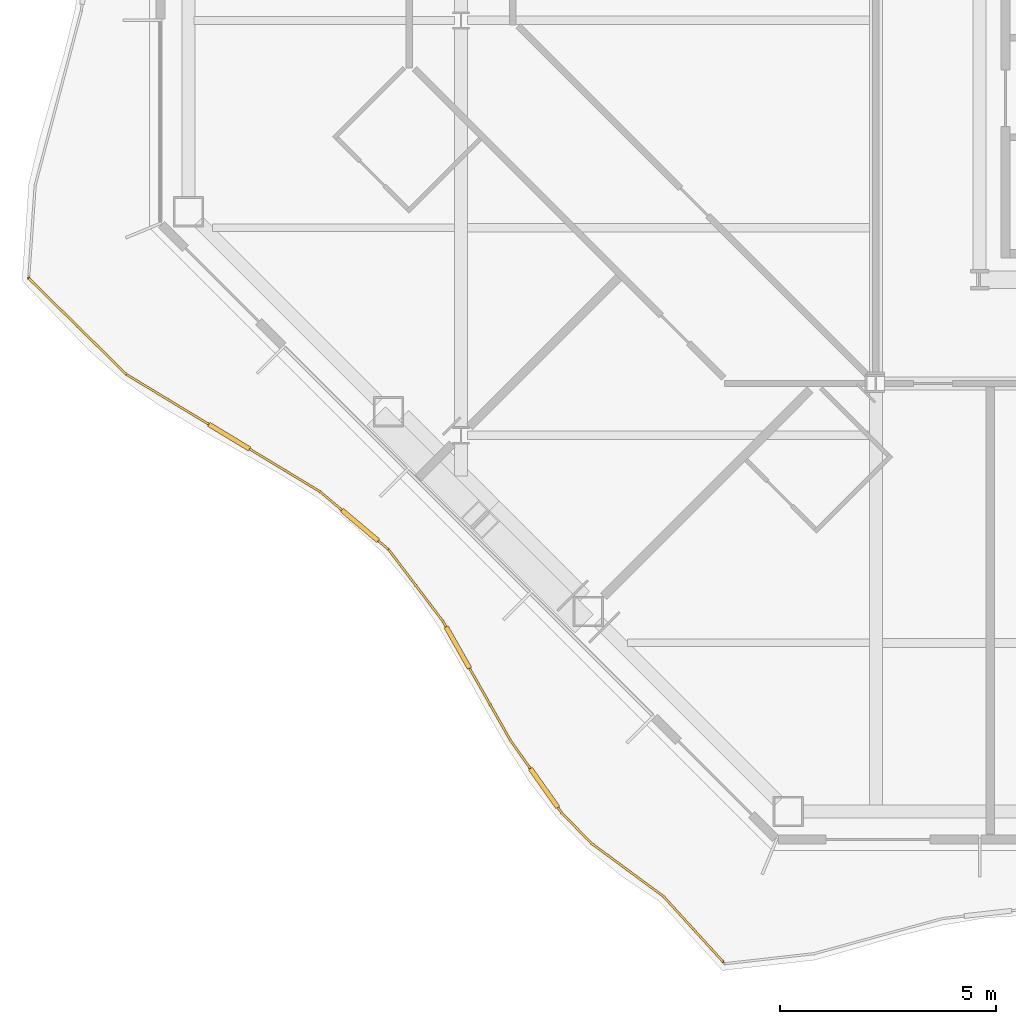
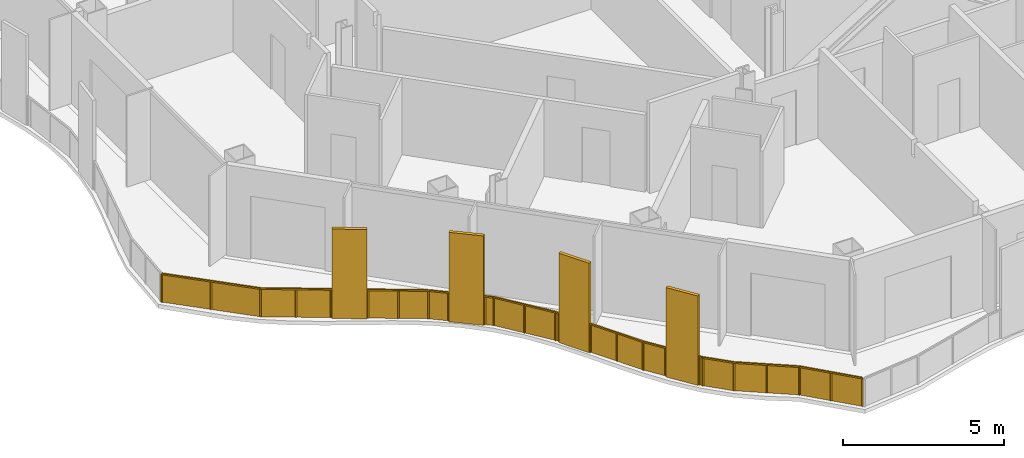
# One storey, part 15 of 21: 1 railing.
"""IFC4 building model written with IfcOpenShell, lengths in metres."""

from ifc_helpers import new_model, si_unit, direction, frame, origin, origin_2d, place, context, subcontext, project, spatial, polyline, rectangle, outline, extrude, material, type_object, element, save


model = new_model("IFC4")

# Units and contexts
model_context = context("Model", 3, precision=1e-05, world=origin(), true_north=direction((0.0, 1.0)))
body_context = subcontext(model_context, "Body", "Model", "MODEL_VIEW")
ifc_project = project(units=[si_unit("LENGTHUNIT", "METRE"), si_unit("AREAUNIT", "SQUARE_METRE"), si_unit("VOLUMEUNIT", "CUBIC_METRE"), si_unit("PLANEANGLEUNIT", "RADIAN"), si_unit("MASSUNIT", "GRAM", prefix="KILO")], contexts=[model_context])

# Site, building, storey
site_placement = place(None, origin())
site = spatial("IfcSite", under=ifc_project, at=site_placement, CompositionType="ELEMENT")
building_placement = place(site_placement, origin())
building = spatial("IfcBuilding", under=site, at=building_placement, Name="Cairn Pilgrim Tower", CompositionType="ELEMENT")
storey_placement = place(building_placement, frame((0.0, 0.0, 143.39990234375)))
storey = spatial("IfcBuildingStorey", under=building, at=storey_placement, Name="L35", CompositionType="ELEMENT", Elevation=143.39990234375)

# Railing
ifc_material = material(Name="Bronze anodised aluminium rail, posts and fin screens with laminated glass infill", Category="aluminium")
railing_type = type_object("IfcRailingType", Name="BALCONY GUARD WITH FIN SCREENS", PredefinedType="GUARDRAIL", material=ifc_material)
railing_placement = place(storey_placement, frame((-24.398681640625, -5.96484375, 0.0)))
element("IfcRailing", 1, at=railing_placement, inside=storey, type_object=railing_type, Name="Balcony guard BGF-8 with fin screens", PredefinedType="GUARDRAIL", context=body_context, shape_type="SweptSolid", body=[
    extrude(rectangle(XDim=0.050048828125, YDim=0.050048828125, at=origin_2d()), frame((0.0, 0.0, 1.0751953125), z_axis=(0.712701140434, -0.701467807119, 0.0), x_axis=(0.701467807119, 0.712701140434, 0.0)), (0.0, 0.0, 1.0), 3.173095703125),
    extrude(rectangle(XDim=1.10009765625, YDim=0.110107421875, at=origin_2d()), frame((4.638916015625, -3.664794921875, 0.0), z_axis=(0.0, 0.0, 1.0), x_axis=(0.85548323189, -0.51783051277, 0.0)), (0.0, 0.0, 1.0), 3.39990234375),
    extrude(rectangle(XDim=0.050048828125, YDim=0.050048828125, at=origin_2d()), frame((2.261474609375, -2.225830078125, 1.0751953125), z_axis=(0.85548323189, -0.51783051277, 0.0), x_axis=(0.51783051277, 0.85548323189, 0.0)), (0.0, 0.0, 1.0), 2.22900390625),
    extrude(rectangle(XDim=0.050048828125, YDim=0.050048828125, at=origin_2d()), frame((5.109375, -3.94970703125, 1.0751953125), z_axis=(0.85548323189, -0.51783051277, 0.0), x_axis=(0.51783051277, 0.85548323189, 0.0)), (0.0, 0.0, 1.0), 1.907958984375),
    extrude(rectangle(XDim=1.10009765625, YDim=0.110107421875, at=origin_2d()), frame((7.665283203125, -5.7177734375, 0.0), z_axis=(0.0, 0.0, 1.0), x_axis=(0.763993774982, -0.645223613788, 0.0)), (0.0, 0.0, 1.0), 3.39990234375),
    extrude(rectangle(XDim=0.050048828125, YDim=0.050048828125, at=origin_2d()), frame((6.74169921875, -4.937744140625, 1.0751953125), z_axis=(0.763993774982, -0.645223613788, 0.0), x_axis=(0.645223613788, 0.763993774982, 0.0)), (0.0, 0.0, 1.0), 0.658935546875),
    extrude(rectangle(XDim=0.050048828125, YDim=0.050048828125, at=origin_2d()), frame((8.08544921875, -6.072509765625, 1.0751953125), z_axis=(0.763993774982, -0.645223613788, 0.0), x_axis=(0.645223613788, 0.763993774982, 0.0)), (0.0, 0.0, 1.0), 0.313232421875),
    extrude(rectangle(XDim=0.050048828125, YDim=0.050048828125, at=origin_2d()), frame((8.32470703125, -6.274658203125, 1.0751953125), z_axis=(0.604006652288, -0.796979274506, 0.0), x_axis=(0.796979274506, 0.604006652288, 0.0)), (0.0, 0.0, 1.0), 2.08251953125),
    extrude(rectangle(XDim=1.10009765625, YDim=0.110107421875, at=origin_2d()), frame((9.927734375, -8.543212890625, 0.0), z_axis=(0.0, 0.0, 1.0), x_axis=(0.493101909594, -0.869971555141, 0.0)), (0.0, 0.0, 1.0), 3.39990234375),
    extrude(rectangle(XDim=0.050048828125, YDim=0.050048828125, at=origin_2d()), frame((9.58251953125, -7.934326171875, 1.0751953125), z_axis=(0.493101909594, -0.869971555141, 0.0), x_axis=(0.869971555141, 0.493101909594, 0.0)), (0.0, 0.0, 1.0), 0.14990234375),
    extrude(rectangle(XDim=0.050048828125, YDim=0.050048828125, at=origin_2d()), frame((10.198974609375, -9.021728515625, 1.0751953125), z_axis=(0.493101909594, -0.869971555141, 0.0), x_axis=(0.869971555141, 0.493101909594, 0.0)), (0.0, 0.0, 1.0), 1.921630859375),
    extrude(rectangle(XDim=1.10009765625, YDim=0.110107421875, at=origin_2d()), frame((11.92431640625, -11.79345703125, 0.0), z_axis=(0.0, 0.0, 1.0), x_axis=(0.577418181938, -0.816448555126, 0.0)), (0.0, 0.0, 1.0), 3.39990234375),
    extrude(rectangle(XDim=0.050048828125, YDim=0.050048828125, at=origin_2d()), frame((11.146484375, -10.693603515625, 1.0751953125), z_axis=(0.577418181938, -0.816448555126, 0.0), x_axis=(0.816448555126, 0.577418181938, 0.0)), (0.0, 0.0, 1.0), 0.796875),
    extrude(rectangle(XDim=0.050048828125, YDim=0.050048828125, at=origin_2d()), frame((12.241943359375, -12.242431640625, 1.0751953125), z_axis=(0.577418181938, -0.816448555126, 0.0), x_axis=(0.816448555126, 0.577418181938, 0.0)), (0.0, 0.0, 1.0), 0.14990234375),
    extrude(rectangle(XDim=0.050048828125, YDim=0.050048828125, at=origin_2d()), frame((12.328369140625, -12.36474609375, 1.0751953125), z_axis=(0.698458873157, -0.715650195632, 0.0), x_axis=(0.715650195632, 0.698458873157, 0.0)), (0.0, 0.0, 1.0), 0.994140625),
    extrude(rectangle(XDim=0.050048828125, YDim=0.050048828125, at=origin_2d()), frame((13.022705078125, -13.076171875, 1.0751953125), z_axis=(0.805267023623, -0.59291232123, 0.0), x_axis=(0.59291232123, 0.805267023623, 0.0)), (0.0, 0.0, 1.0), 2.0625),
    extrude(rectangle(XDim=0.050048828125, YDim=0.050048828125, at=origin_2d()), frame((14.68359375, -14.299072265625, 1.0751953125), z_axis=(0.674164896296, -0.738580863956, 0.0), x_axis=(0.738580863956, 0.674164896296, 0.0)), (0.0, 0.0, 1.0), 2.050537109375),
    extrude(rectangle(XDim=0.050048828125, YDim=0.050048828125, at=origin_2d()), origin(), (0.0, 0.0, 1.0), 1.050048828125),
    extrude(rectangle(XDim=0.050048828125, YDim=0.050048828125, at=origin_2d()), frame((1.130859375, -1.11279296875, 0.0)), (0.0, 0.0, 1.0), 1.050048828125),
    extrude(rectangle(XDim=0.050048828125, YDim=0.050048828125, at=origin_2d()), frame((2.261474609375, -2.225830078125, 0.0)), (0.0, 0.0, 1.0), 1.050048828125),
    extrude(rectangle(XDim=0.050048828125, YDim=0.050048828125, at=origin_2d()), frame((3.2041015625, -2.79638671875, 0.0)), (0.0, 0.0, 1.0), 1.050048828125),
    extrude(rectangle(XDim=0.050048828125, YDim=0.050048828125, at=origin_2d()), frame((4.14697265625, -3.3671875, 0.0)), (0.0, 0.0, 1.0), 1.050048828125),
    extrude(rectangle(XDim=0.050048828125, YDim=0.050048828125, at=origin_2d()), frame((5.130859375, -3.962646484375, 0.0)), (0.0, 0.0, 1.0), 1.050048828125),
    extrude(rectangle(XDim=0.050048828125, YDim=0.050048828125, at=origin_2d()), frame((5.936279296875, -4.4501953125, 0.0)), (0.0, 0.0, 1.0), 1.050048828125),
    extrude(rectangle(XDim=0.050048828125, YDim=0.050048828125, at=origin_2d()), frame((6.74169921875, -4.937744140625, 0.0)), (0.0, 0.0, 1.0), 1.050048828125),
    extrude(rectangle(XDim=0.050048828125, YDim=0.050048828125, at=origin_2d()), frame((7.225830078125, -5.3466796875, 0.0)), (0.0, 0.0, 1.0), 1.050048828125),
    extrude(rectangle(XDim=0.050048828125, YDim=0.050048828125, at=origin_2d()), frame((8.1044921875, -6.088623046875, 0.0)), (0.0, 0.0, 1.0), 1.050048828125),
    extrude(rectangle(XDim=0.050048828125, YDim=0.050048828125, at=origin_2d()), frame((8.32470703125, -6.274658203125, 0.0)), (0.0, 0.0, 1.0), 1.050048828125),
    extrude(rectangle(XDim=0.050048828125, YDim=0.050048828125, at=origin_2d()), frame((8.95361328125, -7.1044921875, 0.0)), (0.0, 0.0, 1.0), 1.050048828125),
    extrude(rectangle(XDim=0.050048828125, YDim=0.050048828125, at=origin_2d()), frame((9.58251953125, -7.934326171875, 0.0)), (0.0, 0.0, 1.0), 1.050048828125),
    extrude(rectangle(XDim=0.050048828125, YDim=0.050048828125, at=origin_2d()), frame((9.64404296875, -8.04296875, 0.0)), (0.0, 0.0, 1.0), 1.050048828125),
    extrude(rectangle(XDim=0.050048828125, YDim=0.050048828125, at=origin_2d()), frame((10.211181640625, -9.04345703125, 0.0)), (0.0, 0.0, 1.0), 1.050048828125),
    extrude(rectangle(XDim=0.050048828125, YDim=0.050048828125, at=origin_2d()), frame((10.678955078125, -9.86865234375, 0.0)), (0.0, 0.0, 1.0), 1.050048828125),
    extrude(rectangle(XDim=0.050048828125, YDim=0.050048828125, at=origin_2d()), frame((11.146484375, -10.693603515625, 0.0)), (0.0, 0.0, 1.0), 1.050048828125),
    extrude(rectangle(XDim=0.050048828125, YDim=0.050048828125, at=origin_2d()), frame((11.59228515625, -11.323974609375, 0.0)), (0.0, 0.0, 1.0), 1.050048828125),
    extrude(rectangle(XDim=0.050048828125, YDim=0.050048828125, at=origin_2d()), frame((12.25634765625, -12.262939453125, 0.0)), (0.0, 0.0, 1.0), 1.050048828125),
    extrude(rectangle(XDim=0.050048828125, YDim=0.050048828125, at=origin_2d()), frame((12.328369140625, -12.36474609375, 0.0)), (0.0, 0.0, 1.0), 1.050048828125),
    extrude(rectangle(XDim=0.050048828125, YDim=0.050048828125, at=origin_2d()), frame((13.022705078125, -13.076171875, 0.0)), (0.0, 0.0, 1.0), 1.050048828125),
    extrude(rectangle(XDim=0.050048828125, YDim=0.050048828125, at=origin_2d()), frame((13.85302734375, -13.6875, 0.0)), (0.0, 0.0, 1.0), 1.050048828125),
    extrude(rectangle(XDim=0.050048828125, YDim=0.050048828125, at=origin_2d()), frame((14.68359375, -14.299072265625, 0.0)), (0.0, 0.0, 1.0), 1.050048828125),
    extrude(rectangle(XDim=0.050048828125, YDim=0.050048828125, at=origin_2d()), frame((15.374755859375, -15.05615234375, 0.0)), (0.0, 0.0, 1.0), 1.050048828125),
    extrude(rectangle(XDim=0.050048828125, YDim=0.050048828125, at=origin_2d()), frame((16.06591796875, -15.8134765625, 0.0)), (0.0, 0.0, 1.0), 1.050048828125),
    extrude(outline(polyline([(0.02490234375, 0.0), (1.5615234375, 0.0), (1.5615234375, 1.050048828125), (0.02490234375, 1.050048828125), (0.02490234375, 0.0)])), frame((0.004150390625, 0.004150390625, 0.0), z_axis=(-0.701467807119, -0.712701140434, 0.0), x_axis=(0.712701140434, -0.701467807119, 0.0)), (0.0, 0.0, 1.0), 0.011962890625),
    extrude(outline(polyline([(0.02490234375, 0.0), (1.5615234375, 0.0), (1.5615234375, 1.050048828125), (0.02490234375, 1.050048828125), (0.02490234375, 0.0)])), frame((1.135009765625, -1.108642578125, 0.0), z_axis=(-0.701467807119, -0.712701140434, 0.0), x_axis=(0.712701140434, -0.701467807119, 0.0)), (0.0, 0.0, 1.0), 0.011962890625),
    extrude(outline(polyline([(0.02490234375, 0.0), (1.076904296875, 0.0), (1.076904296875, 1.050048828125), (0.02490234375, 1.050048828125), (0.02490234375, 0.0)])), frame((2.2646484375, -2.220703125, 0.0), z_axis=(-0.51783051277, -0.85548323189, 0.0), x_axis=(0.85548323189, -0.51783051277, 0.0)), (0.0, 0.0, 1.0), 0.011962890625),
    extrude(outline(polyline([(0.02490234375, 0.0), (1.076904296875, 0.0), (1.076904296875, 1.050048828125), (0.02490234375, 1.050048828125), (0.02490234375, 0.0)])), frame((3.207275390625, -2.791259765625, 0.0), z_axis=(-0.51783051277, -0.85548323189, 0.0), x_axis=(0.85548323189, -0.51783051277, 0.0)), (0.0, 0.0, 1.0), 0.011962890625),
    extrude(outline(polyline([(0.02490234375, 0.0), (0.91650390625, 0.0), (0.91650390625, 1.050048828125), (0.02490234375, 1.050048828125), (0.02490234375, 0.0)])), frame((5.1337890625, -3.95751953125, 0.0), z_axis=(-0.51783051277, -0.85548323189, 0.0), x_axis=(0.85548323189, -0.51783051277, 0.0)), (0.0, 0.0, 1.0), 0.011962890625),
    extrude(outline(polyline([(0.02490234375, 0.0), (0.91650390625, 0.0), (0.91650390625, 1.050048828125), (0.02490234375, 1.050048828125), (0.02490234375, 0.0)])), frame((5.939453125, -4.445068359375, 0.0), z_axis=(-0.51783051277, -0.85548323189, 0.0), x_axis=(0.85548323189, -0.51783051277, 0.0)), (0.0, 0.0, 1.0), 0.011962890625),
    extrude(outline(polyline([(0.02490234375, 0.0), (0.60888671875, 0.0), (0.60888671875, 1.050048828125), (0.02490234375, 1.050048828125), (0.02490234375, 0.0)])), frame((6.74560546875, -4.93310546875, 0.0), z_axis=(-0.645223613788, -0.763993774982, 0.0), x_axis=(0.763993774982, -0.645223613788, 0.0)), (0.0, 0.0, 1.0), 0.011962890625),
    extrude(outline(polyline([(0.02490234375, 0.0), (0.26318359375, 0.0), (0.26318359375, 1.050048828125), (0.02490234375, 1.050048828125), (0.02490234375, 0.0)])), frame((8.1083984375, -6.084228515625, 0.0), z_axis=(-0.645223613788, -0.763993774982, 0.0), x_axis=(0.763993774982, -0.645223613788, 0.0)), (0.0, 0.0, 1.0), 0.011962890625),
    extrude(outline(polyline([(0.02490234375, 0.0), (1.01611328125, 0.0), (1.01611328125, 1.050048828125), (0.02490234375, 1.050048828125), (0.02490234375, 0.0)])), frame((8.32958984375, -6.27099609375, 0.0), z_axis=(-0.796979274506, -0.604006652288, 0.0), x_axis=(0.604006652288, -0.796979274506, 0.0)), (0.0, 0.0, 1.0), 0.011962890625),
    extrude(outline(polyline([(0.02490234375, 0.0), (1.01611328125, 0.0), (1.01611328125, 1.050048828125), (0.02490234375, 1.050048828125), (0.02490234375, 0.0)])), frame((8.95849609375, -7.100830078125, 0.0), z_axis=(-0.796979274506, -0.604006652288, 0.0), x_axis=(0.604006652288, -0.796979274506, 0.0)), (0.0, 0.0, 1.0), 0.011962890625),
    extrude(outline(polyline([(0.02490234375, 0.0), (0.099853515625, 0.0), (0.099853515625, 1.050048828125), (0.02490234375, 1.050048828125), (0.02490234375, 0.0)])), frame((9.587646484375, -7.931396484375, 0.0), z_axis=(-0.869971555141, -0.493101909594, 0.0), x_axis=(0.493101909594, -0.869971555141, 0.0)), (0.0, 0.0, 1.0), 0.011962890625),
    extrude(outline(polyline([(0.02490234375, 0.0), (0.92333984375, 0.0), (0.92333984375, 1.050048828125), (0.02490234375, 1.050048828125), (0.02490234375, 0.0)])), frame((10.21630859375, -9.04052734375, 0.0), z_axis=(-0.869971555141, -0.493101909594, 0.0), x_axis=(0.493101909594, -0.869971555141, 0.0)), (0.0, 0.0, 1.0), 0.011962890625),
    extrude(outline(polyline([(0.02490234375, 0.0), (0.92333984375, 0.0), (0.92333984375, 1.050048828125), (0.02490234375, 1.050048828125), (0.02490234375, 0.0)])), frame((10.68408203125, -9.86572265625, 0.0), z_axis=(-0.869971555141, -0.493101909594, 0.0), x_axis=(0.493101909594, -0.869971555141, 0.0)), (0.0, 0.0, 1.0), 0.011962890625),
    extrude(outline(polyline([(0.02490234375, 0.0), (0.746826171875, 0.0), (0.746826171875, 1.050048828125), (0.02490234375, 1.050048828125), (0.02490234375, 0.0)])), frame((11.1513671875, -10.690185546875, 0.0), z_axis=(-0.816448555126, -0.577418181938, 0.0), x_axis=(0.577418181938, -0.816448555126, 0.0)), (0.0, 0.0, 1.0), 0.011962890625),
    extrude(outline(polyline([(0.02490234375, 0.0), (0.099853515625, 0.0), (0.099853515625, 1.050048828125), (0.02490234375, 1.050048828125), (0.02490234375, 0.0)])), frame((12.26123046875, -12.25927734375, 0.0), z_axis=(-0.816448555126, -0.577418181938, 0.0), x_axis=(0.577418181938, -0.816448555126, 0.0)), (0.0, 0.0, 1.0), 0.011962890625),
    extrude(outline(polyline([(0.02490234375, 0.0), (0.968994140625, 0.0), (0.968994140625, 1.050048828125), (0.02490234375, 1.050048828125), (0.02490234375, 0.0)])), frame((12.332763671875, -12.360595703125, 0.0), z_axis=(-0.715650195632, -0.698458873157, 0.0), x_axis=(0.698458873157, -0.715650195632, 0.0)), (0.0, 0.0, 1.0), 0.011962890625),
    extrude(outline(polyline([(0.02490234375, 0.0), (1.00634765625, 0.0), (1.00634765625, 1.050048828125), (0.02490234375, 1.050048828125), (0.02490234375, 0.0)])), frame((13.0263671875, -13.0712890625, 0.0), z_axis=(-0.59291232123, -0.805267023623, 0.0), x_axis=(0.805267023623, -0.59291232123, 0.0)), (0.0, 0.0, 1.0), 0.011962890625),
    extrude(outline(polyline([(0.02490234375, 0.0), (1.00634765625, 0.0), (1.00634765625, 1.050048828125), (0.02490234375, 1.050048828125), (0.02490234375, 0.0)])), frame((13.856689453125, -13.682861328125, 0.0), z_axis=(-0.59291232123, -0.805267023623, 0.0), x_axis=(0.805267023623, -0.59291232123, 0.0)), (0.0, 0.0, 1.0), 0.011962890625),
    extrude(outline(polyline([(0.02490234375, 0.0), (1.000244140625, 0.0), (1.000244140625, 1.050048828125), (0.02490234375, 1.050048828125), (0.02490234375, 0.0)])), frame((14.68798828125, -14.294921875, 0.0), z_axis=(-0.738580863956, -0.674164896296, 0.0), x_axis=(0.674164896296, -0.738580863956, 0.0)), (0.0, 0.0, 1.0), 0.011962890625),
    extrude(outline(polyline([(0.02490234375, 0.0), (1.000244140625, 0.0), (1.000244140625, 1.050048828125), (0.02490234375, 1.050048828125), (0.02490234375, 0.0)])), frame((15.379150390625, -15.05224609375, 0.0), z_axis=(-0.738580863956, -0.674164896296, 0.0), x_axis=(0.674164896296, -0.738580863956, 0.0)), (0.0, 0.0, 1.0), 0.011962890625),
])

save(model, "model.ifc")
